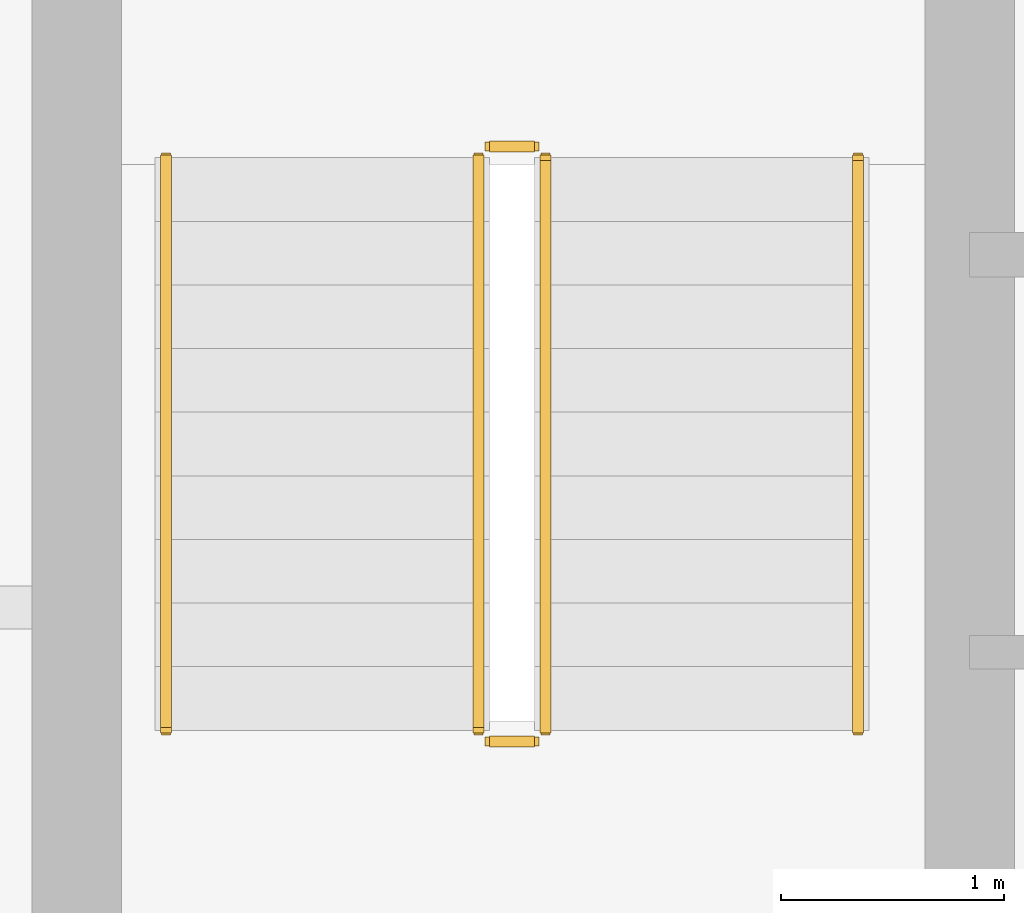
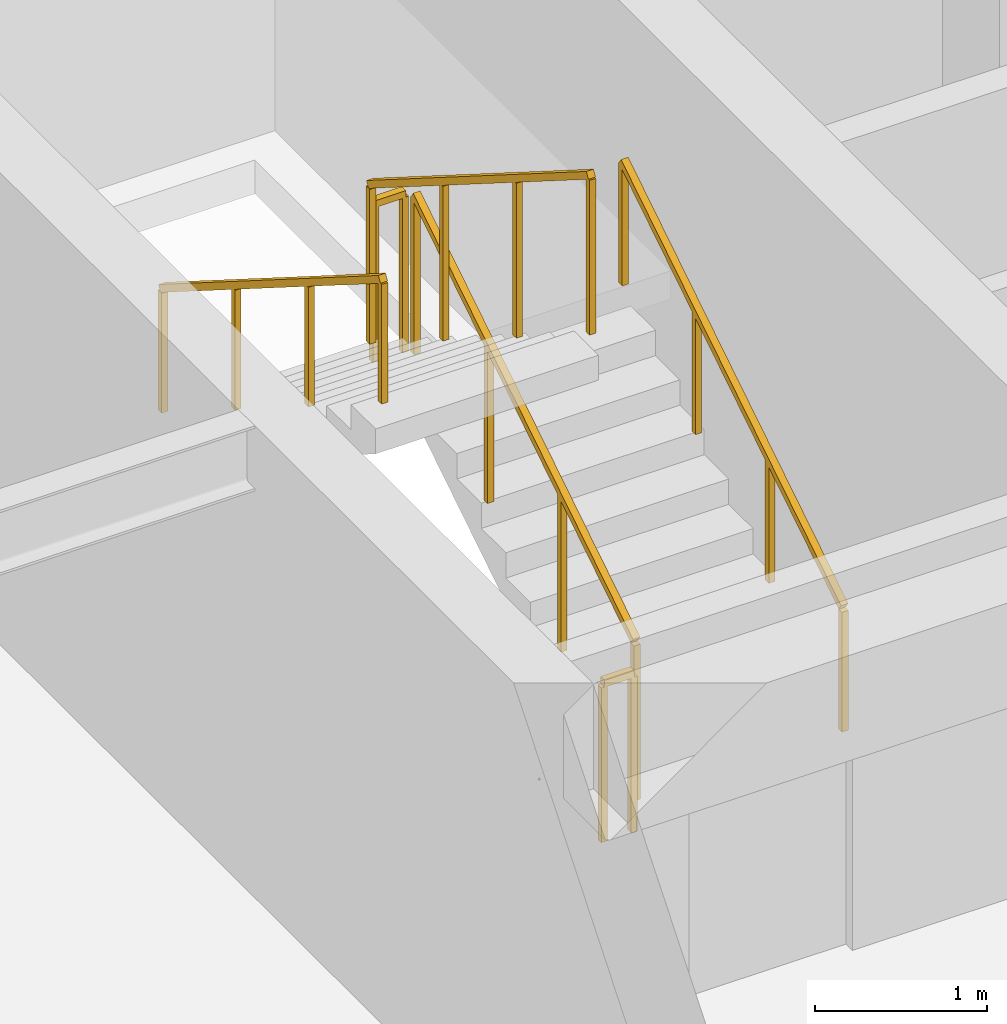
# One storey, part 21 of 23: 6 railings.
"""IFC4 building model written with IfcOpenShell, lengths in metres."""

from ifc_helpers import new_model, si_unit, direction, frame, origin, origin_2d, place, context, subcontext, project, spatial, rectangle, extrude, material, type_object, element, save


model = new_model("IFC4")

# Units and contexts
model_context = context("Model", 3, precision=1e-05, world=origin(), true_north=direction((0.0, 1.0)))
body_context = subcontext(model_context, "Body", "Model", "MODEL_VIEW")
ifc_project = project(units=[si_unit("LENGTHUNIT", "METRE"), si_unit("AREAUNIT", "SQUARE_METRE"), si_unit("VOLUMEUNIT", "CUBIC_METRE"), si_unit("PLANEANGLEUNIT", "RADIAN"), si_unit("MASSUNIT", "GRAM", prefix="KILO")], contexts=[model_context])

# Site, building, storey
site_placement = place(None, origin())
site = spatial("IfcSite", under=ifc_project, at=site_placement, CompositionType="ELEMENT")
building_placement = place(site_placement, origin())
building = spatial("IfcBuilding", under=site, at=building_placement, Name="Sarneth Arch Tower", CompositionType="ELEMENT")
storey_placement = place(building_placement, frame((0.0, 0.0, 238.800048828125)))
storey = spatial("IfcBuildingStorey", under=building, at=storey_placement, Name="L61", CompositionType="ELEMENT", Elevation=238.800048828125)

# Railings
ifc_material_1 = material(Name="Brushed Stainless Steel 304 tubular handrail", Category="steel")
railing_type_1 = type_object("IfcRailingType", Name="RAIL-HANDRAIL-900", PredefinedType="HANDRAIL", material=ifc_material_1)
railing_1_placement = place(storey_placement, frame((40.5, 41.449951171875, 0.179931640625)))
element("IfcRailing", 1, at=railing_1_placement, inside=storey, type_object=railing_type_1, Name="L61 ST-1 stair handrail 1", PredefinedType="HANDRAIL", context=body_context, shape_type="SweptSolid", body=[
    extrude(rectangle(XDim=0.048095703125, YDim=0.048095703125, at=origin_2d()), frame((0.0, 0.0, 0.8759765625), z_axis=(0.0, 0.845465955043, 0.534029323973), x_axis=(-1.0, 0.0, 0.0)), (0.0, 0.0, 1.0), 3.03369140625),
    extrude(rectangle(XDim=0.0419921875, YDim=0.0419921875, at=origin_2d()), origin(), (0.0, 0.0, 1.0), 0.851806640625),
    extrude(rectangle(XDim=0.0419921875, YDim=0.0419921875, at=origin_2d()), frame((0.0, 0.85498046875, 0.5400390625)), (0.0, 0.0, 1.0), 0.851806640625),
    extrude(rectangle(XDim=0.0419921875, YDim=0.0419921875, at=origin_2d()), frame((0.0, 1.7099609375, 1.080078125)), (0.0, 0.0, 1.0), 0.851806640625),
    extrude(rectangle(XDim=0.0419921875, YDim=0.0419921875, at=origin_2d()), frame((0.0, 2.56494140625, 1.6201171875)), (0.0, 0.0, 1.0), 0.851806640625),
])
railing_2_placement = place(storey_placement, frame((37.39990234375, 44.014892578125, 1.97998046875)))
element("IfcRailing", 2, at=railing_2_placement, inside=storey, type_object=railing_type_1, Name="L61 ST-1 stair handrail 2", PredefinedType="HANDRAIL", context=body_context, shape_type="SweptSolid", body=[
    extrude(rectangle(XDim=0.048095703125, YDim=0.048095703125, at=origin_2d()), frame((0.0, 0.0, 0.8759765625), z_axis=(0.0, -0.845502289212, 0.533971796014), x_axis=(1.0, 0.0, 0.0)), (0.0, 0.0, 1.0), 3.03369140625),
    extrude(rectangle(XDim=0.0419921875, YDim=0.0419921875, at=origin_2d()), origin(), (0.0, 0.0, 1.0), 0.851806640625),
    extrude(rectangle(XDim=0.0419921875, YDim=0.0419921875, at=origin_2d()), frame((0.0, -0.85498046875, 0.5400390625)), (0.0, 0.0, 1.0), 0.851806640625),
    extrude(rectangle(XDim=0.0419921875, YDim=0.0419921875, at=origin_2d()), frame((0.0, -1.7099609375, 1.079833984375)), (0.0, 0.0, 1.0), 0.851806640625),
    extrude(rectangle(XDim=0.0419921875, YDim=0.0419921875, at=origin_2d()), frame((0.0, -2.56494140625, 1.619873046875)), (0.0, 0.0, 1.0), 0.851806640625),
])
ifc_material_2 = material(Name="Painted Steel S275 stair well guard", Category="steel")
railing_type_2 = type_object("IfcRailingType", Name="RAIL-STAIR-GUARD", PredefinedType="GUARDRAIL", material=ifc_material_2)
railing_3_placement = place(storey_placement, frame((39.10009765625, 41.449951171875, 0.179931640625)))
element("IfcRailing", 3, at=railing_3_placement, inside=storey, type_object=railing_type_2, Name="L61 ST-1 stair guard 1", PredefinedType="GUARDRAIL", context=body_context, shape_type="SweptSolid", body=[
    extrude(rectangle(XDim=0.048095703125, YDim=0.048095703125, at=origin_2d()), frame((0.0, 0.0, 1.1259765625), z_axis=(0.0, 0.845465955043, 0.534029323973), x_axis=(-1.0, 0.0, 0.0)), (0.0, 0.0, 1.0), 3.03369140625),
    extrude(rectangle(XDim=0.0419921875, YDim=0.0419921875, at=origin_2d()), origin(), (0.0, 0.0, 1.0), 1.101806640625),
    extrude(rectangle(XDim=0.0419921875, YDim=0.0419921875, at=origin_2d()), frame((0.0, 0.85498046875, 0.5400390625)), (0.0, 0.0, 1.0), 1.101806640625),
    extrude(rectangle(XDim=0.0419921875, YDim=0.0419921875, at=origin_2d()), frame((0.0, 1.7099609375, 1.080078125)), (0.0, 0.0, 1.0), 1.101806640625),
    extrude(rectangle(XDim=0.0419921875, YDim=0.0419921875, at=origin_2d()), frame((0.0, 2.56494140625, 1.6201171875)), (0.0, 0.0, 1.0), 1.101806640625),
])
railing_4_placement = place(storey_placement, frame((39.050048828125, 44.06494140625, 1.800048828125)))
element("IfcRailing", 4, at=railing_4_placement, inside=storey, type_object=railing_type_2, Name="L61 ST-1 stair guard 2", PredefinedType="GUARDRAIL", context=body_context, shape_type="SweptSolid", body=[
    extrude(rectangle(XDim=0.048095703125, YDim=0.048095703125, at=origin_2d()), frame((0.0, 0.0, 1.1259765625), z_axis=(-1.0, 0.0, 0.0), x_axis=(0.0, -1.0, 0.0)), (0.0, 0.0, 1.0), 0.199951171875),
    extrude(rectangle(XDim=0.0419921875, YDim=0.0419921875, at=origin_2d()), origin(), (0.0, 0.0, 1.0), 1.101806640625),
    extrude(rectangle(XDim=0.0419921875, YDim=0.0419921875, at=origin_2d()), frame((-0.199951171875, 0.0, 0.0)), (0.0, 0.0, 1.0), 1.101806640625),
])
railing_5_placement = place(storey_placement, frame((38.800048828125, 44.014892578125, 1.97998046875)))
element("IfcRailing", 5, at=railing_5_placement, inside=storey, type_object=railing_type_2, Name="L61 ST-1 stair guard 3", PredefinedType="GUARDRAIL", context=body_context, shape_type="SweptSolid", body=[
    extrude(rectangle(XDim=0.048095703125, YDim=0.048095703125, at=origin_2d()), frame((0.0, 0.0, 1.1259765625), z_axis=(0.0, -0.845502289212, 0.533971796014), x_axis=(1.0, 0.0, 0.0)), (0.0, 0.0, 1.0), 3.03369140625),
    extrude(rectangle(XDim=0.0419921875, YDim=0.0419921875, at=origin_2d()), origin(), (0.0, 0.0, 1.0), 1.101806640625),
    extrude(rectangle(XDim=0.0419921875, YDim=0.0419921875, at=origin_2d()), frame((0.0, -0.85498046875, 0.5400390625)), (0.0, 0.0, 1.0), 1.101806640625),
    extrude(rectangle(XDim=0.0419921875, YDim=0.0419921875, at=origin_2d()), frame((0.0, -1.7099609375, 1.079833984375)), (0.0, 0.0, 1.0), 1.101806640625),
    extrude(rectangle(XDim=0.0419921875, YDim=0.0419921875, at=origin_2d()), frame((0.0, -2.56494140625, 1.619873046875)), (0.0, 0.0, 1.0), 1.101806640625),
])
railing_6_placement = place(storey_placement, frame((39.050048828125, 41.39990234375, 0.0)))
element("IfcRailing", 6, at=railing_6_placement, inside=storey, type_object=railing_type_2, Name="L61 ST-1 stair guard 4", PredefinedType="GUARDRAIL", context=body_context, shape_type="SweptSolid", body=[
    extrude(rectangle(XDim=0.048095703125, YDim=0.048095703125, at=origin_2d()), frame((0.0, 0.0, 1.1259765625), z_axis=(-1.0, 0.0, 0.0), x_axis=(0.0, -1.0, 0.0)), (0.0, 0.0, 1.0), 0.199951171875),
    extrude(rectangle(XDim=0.0419921875, YDim=0.0419921875, at=origin_2d()), origin(), (0.0, 0.0, 1.0), 1.101806640625),
    extrude(rectangle(XDim=0.0419921875, YDim=0.0419921875, at=origin_2d()), frame((-0.199951171875, 0.0, 0.0)), (0.0, 0.0, 1.0), 1.101806640625),
])

save(model, "model.ifc")
